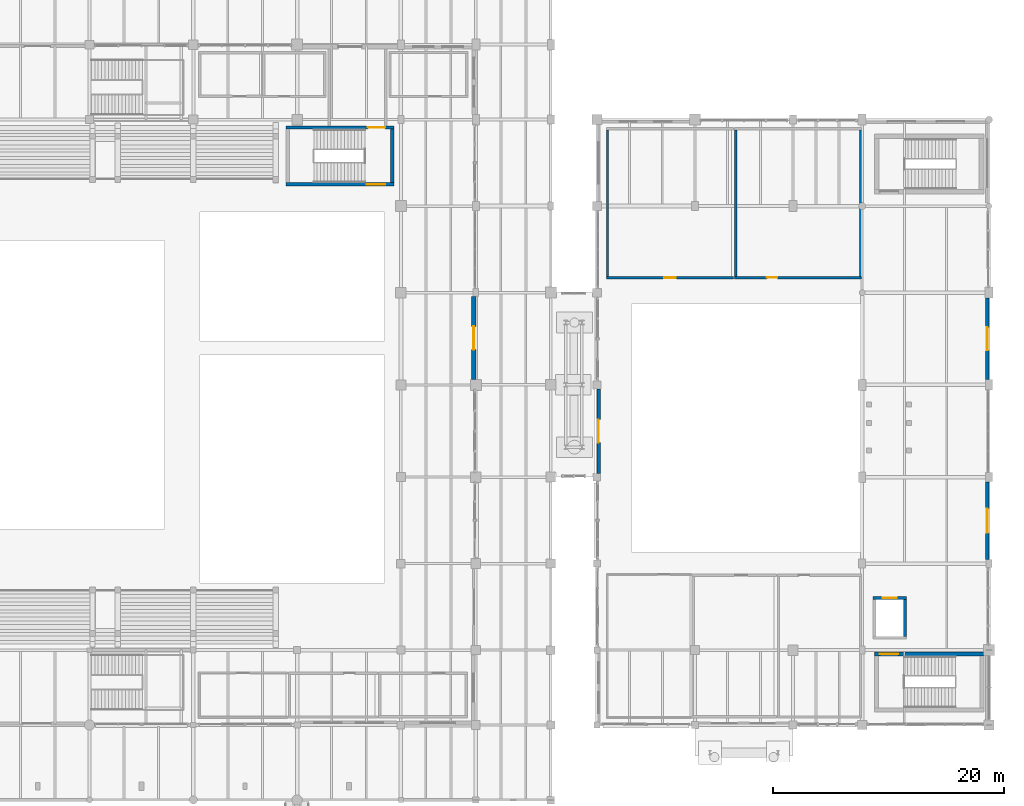
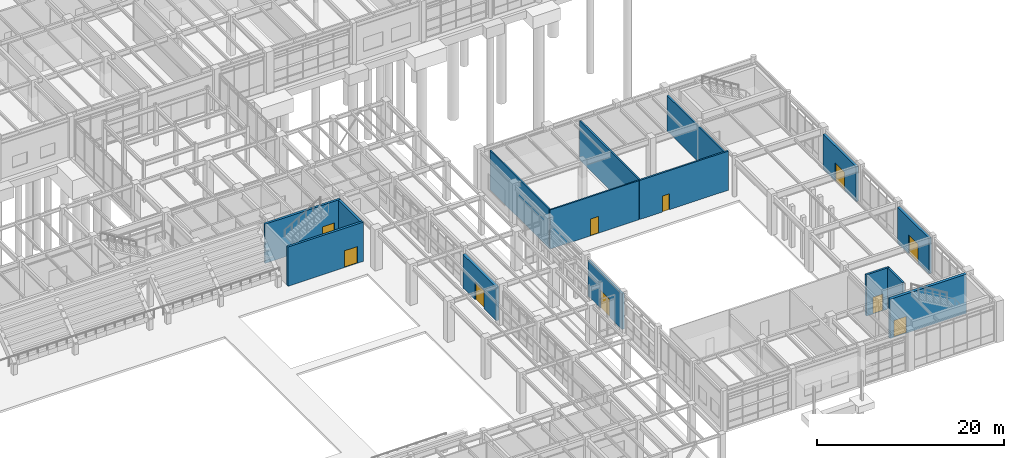
# One storey, part 180 of 203: 15 walls, 10 doors, 10 openings.
"""IFC4 building model written with IfcOpenShell, lengths in metres."""

from ifc_helpers import new_model, si_unit, direction, frame, frame_2d, origin, place, context, subcontext, project, spatial, rectangle, extrude, material, layer, layer_set, type_object, element, fill, save


model = new_model("IFC4")

# Units and contexts
model_context = context("Model", 3, precision=1e-05, world=origin(), true_north=direction((0.0, 1.0)))
body_context = subcontext(model_context, "Body", "Model", "MODEL_VIEW")
ifc_project = project(units=[si_unit("LENGTHUNIT", "METRE"), si_unit("AREAUNIT", "SQUARE_METRE"), si_unit("VOLUMEUNIT", "CUBIC_METRE"), si_unit("PLANEANGLEUNIT", "RADIAN"), si_unit("MASSUNIT", "GRAM", prefix="KILO"), si_unit("THERMODYNAMICTEMPERATUREUNIT", "KELVIN"), si_unit("POWERUNIT", "WATT")], contexts=[model_context])

# Site, building, storey
site_placement = place(None, origin())
site = spatial("IfcSite", under=ifc_project, at=site_placement, CompositionType="ELEMENT")
building_placement = place(site_placement, origin())
building = spatial("IfcBuilding", under=site, at=building_placement, Name="Tepalcoro Natatorium and Aquatics Centre", CompositionType="ELEMENT")
storey_placement = place(building_placement, origin())
storey = spatial("IfcBuildingStorey", under=building, at=storey_placement, Name="L00", CompositionType="ELEMENT", Elevation=0.0)

# Wall, opening, door
ifc_material_1 = material(Name="Volcanic Recinto Basalt Ashlar Masonry", Category="masonry")
ifc_layer_1 = layer(ifc_material_1, 0.360107421875)
ifc_layer_set_1 = layer_set([ifc_layer_1], Name="Volcanic Recinto Basalt Ashlar Masonry")
wall_type_1 = type_object("IfcWallType", Name="WL_EXT_STONE_350", PredefinedType="SOLIDWALL", material=ifc_layer_set_1)
wall_1_placement = place(storey_placement, frame((131.320068359375, 36.47900390625, 0.0), z_axis=(0.0, 0.0, 1.0), x_axis=(0.0, 1.0, 0.0)))
wall_1 = element("IfcWall", 1, at=wall_1_placement, inside=storey, type_object=wall_type_1, Name="V1 L00 E Volcanic Basalt Envelope Wall", PredefinedType="SOLIDWALL", context=body_context, shape_type="SweptSolid", body=[
    extrude(rectangle(XDim=7.1669921875, YDim=0.360107421875, at=frame_2d((3.58349609375, 0.0))), origin(), (0.0, 0.0, 1.0), 4.382080078125),
])
opening_1_placement = place(wall_1_placement, frame((2.58349609375, 0.0, 0.0)))
opening_1 = element("IfcOpeningElement", 2, at=opening_1_placement, cuts=wall_1, Name="Opening ED5008", PredefinedType="OPENING", context=body_context, shape_type="SweptSolid", body=[
    extrude(rectangle(XDim=2.0, YDim=2.39990234375, at=frame_2d((1.0, 1.199951171875))), frame((0.0, 0.19189453125, 0.0), z_axis=(0.0, -1.0, 0.0), x_axis=(1.0, 0.0, 0.0)), (0.0, 0.0, 1.0), 0.384033203125),
])
ifc_material_2 = material(Name="Bronze-Anodised Extruded Aluminium Alloy EN AW-6063 T6", Category="aluminium")
door_type_1 = type_object("IfcDoorType", Name="DR_200x240_EXT", OperationType="NOTDEFINED", PredefinedType="DOOR", material=ifc_material_2)
door_1_placement = place(opening_1_placement, frame((2.0, 0.0, 0.0), z_axis=(0.0, 0.0, 1.0), x_axis=(-1.0, 0.0, 0.0)))
door_1 = element("IfcDoor", 3, at=door_1_placement, inside=storey, type_object=door_type_1, Name="East Seismic Link Portal", OperationType="DOUBLE_DOOR_SINGLE_SWING", OverallHeight=2.39990234375, OverallWidth=2.0, PredefinedType="DOOR", context=body_context, shape_type="SweptSolid", body=[
    extrude(rectangle(XDim=2.0, YDim=2.39990234375, at=frame_2d((1.0, 1.199951171875))), frame((0.0, 0.02490234375, 0.0), z_axis=(0.0, -1.0, 0.0), x_axis=(1.0, 0.0, 0.0)), (0.0, 0.0, 1.0), 0.050048828125),
])
fill(opening_1, door_1)

ifc_material_3 = material(Name="Jalisco Cantera Rosa Volcanic Tuff Ashlar Masonry", Category="masonry")
ifc_layer_2 = layer(ifc_material_3, 0.304931640625)
ifc_layer_set_2 = layer_set([ifc_layer_2], Name="Jalisco Cantera Rosa Volcanic Tuff Ashlar Masonry")
wall_type_2 = type_object("IfcWallType", Name="WL_EXT_TERRACOTTA_300", PredefinedType="SOLIDWALL", material=ifc_layer_set_2)
wall_2_placement = place(storey_placement, frame((142.152587890625, 28.3291015625, 0.0), z_axis=(0.0, 0.0, 1.0), x_axis=(0.0, 1.0, 0.0)))
wall_2 = element("IfcWall", 4, at=wall_2_placement, inside=storey, type_object=wall_type_2, Name="V2 L00 W Volcanic Basalt Envelope Wall", PredefinedType="SOLIDWALL", context=body_context, shape_type="SweptSolid", body=[
    extrude(rectangle(XDim=7.31689453125, YDim=0.304931640625, at=frame_2d((3.658447265625, 0.0))), origin(), (0.0, 0.0, 1.0), 4.64990234375),
])
opening_2_placement = place(wall_2_placement, frame((2.658447265625, 0.0, 0.0)))
opening_2 = element("IfcOpeningElement", 5, at=opening_2_placement, cuts=wall_2, Name="Opening ED5021", PredefinedType="OPENING", context=body_context, shape_type="SweptSolid", body=[
    extrude(rectangle(XDim=2.0, YDim=2.39990234375, at=frame_2d((1.0, 1.199951171875))), frame((0.0, 0.16455078125, 0.0), z_axis=(0.0, -1.0, 0.0), x_axis=(1.0, 0.0, 0.0)), (0.0, 0.0, 1.0), 0.328857421875),
])
door_2_placement = place(opening_2_placement, origin())
door_2 = element("IfcDoor", 6, at=door_2_placement, inside=storey, type_object=door_type_1, Name="V2 L00 West Link Portal", OperationType="DOUBLE_DOOR_SINGLE_SWING", OverallHeight=2.39990234375, OverallWidth=2.0, PredefinedType="DOOR", context=body_context, shape_type="SweptSolid", body=[
    extrude(rectangle(XDim=2.0, YDim=2.39990234375, at=frame_2d((1.0, 1.199951171875))), frame((0.0, 0.02490234375, 0.0), z_axis=(0.0, -1.0, 0.0), x_axis=(1.0, 0.0, 0.0)), (0.0, 0.0, 1.0), 0.050048828125),
])
fill(opening_2, door_2)

wall_3_placement = place(storey_placement, frame((175.847412109375, 20.85400390625, 0.0), z_axis=(0.0, 0.0, 1.0), x_axis=(0.0, 1.0, 0.0)))
wall_3 = element("IfcWall", 7, at=wall_3_placement, inside=storey, type_object=wall_type_2, Name="V2 L00 E Volcanic Basalt Envelope Wall", PredefinedType="SOLIDWALL", context=body_context, shape_type="SweptSolid", body=[
    extrude(rectangle(XDim=6.741943359375, YDim=0.304931640625, at=frame_2d((3.37109375, 0.0))), origin(), (0.0, 0.0, 1.0), 4.697021484375),
])
opening_3_placement = place(wall_3_placement, frame((2.321044921875, 0.0, 0.0)))
opening_3 = element("IfcOpeningElement", 8, at=opening_3_placement, cuts=wall_3, Name="Opening ED5022", PredefinedType="OPENING", context=body_context, shape_type="SweptSolid", body=[
    extrude(rectangle(XDim=2.10009765625, YDim=2.5, at=frame_2d((1.050048828125, 1.25))), frame((0.0, 0.16455078125, 0.0), z_axis=(0.0, -1.0, 0.0), x_axis=(1.0, 0.0, 0.0)), (0.0, 0.0, 1.0), 0.328857421875),
])
door_type_2 = type_object("IfcDoorType", Name="DR_210x250_EXT", OperationType="NOTDEFINED", PredefinedType="DOOR", material=ifc_material_2)
door_3_placement = place(opening_3_placement, frame((2.10009765625, 0.0, 0.0), z_axis=(0.0, 0.0, 1.0), x_axis=(-1.0, 0.0, 0.0)))
door_3 = element("IfcDoor", 9, at=door_3_placement, inside=storey, type_object=door_type_2, Name="Diving Pavilion East Civic Entrance", OperationType="DOUBLE_DOOR_SINGLE_SWING", OverallHeight=2.5, OverallWidth=2.10009765625, PredefinedType="DOOR", context=body_context, shape_type="SweptSolid", body=[
    extrude(rectangle(XDim=2.10009765625, YDim=2.5, at=frame_2d((1.050048828125, 1.25))), frame((0.0, 0.02490234375, 0.0), z_axis=(0.0, -1.0, 0.0), x_axis=(1.0, 0.0, 0.0)), (0.0, 0.0, 1.0), 0.050048828125),
])
fill(opening_3, door_3)

wall_4_placement = place(storey_placement, frame((175.847412109375, 36.4541015625, 0.0), z_axis=(0.0, 0.0, 1.0), x_axis=(0.0, 1.0, 0.0)))
wall_4 = element("IfcWall", 10, at=wall_4_placement, inside=storey, type_object=wall_type_2, Name="V2 L00 E Volcanic Basalt Envelope Wall", PredefinedType="SOLIDWALL", context=body_context, shape_type="SweptSolid", body=[
    extrude(rectangle(XDim=7.06689453125, YDim=0.304931640625, at=frame_2d((3.533447265625, 0.0))), origin(), (0.0, 0.0, 1.0), 4.573974609375),
])
opening_4_placement = place(wall_4_placement, frame((2.533447265625, 0.0, 0.0)))
opening_4 = element("IfcOpeningElement", 11, at=opening_4_placement, cuts=wall_4, Name="Opening ED5023", PredefinedType="OPENING", context=body_context, shape_type="SweptSolid", body=[
    extrude(rectangle(XDim=2.0, YDim=2.39990234375, at=frame_2d((1.0, 1.199951171875))), frame((0.0, 0.16455078125, 0.0), z_axis=(0.0, -1.0, 0.0), x_axis=(1.0, 0.0, 0.0)), (0.0, 0.0, 1.0), 0.328857421875),
])
door_4_placement = place(opening_4_placement, frame((2.0, 0.0, 0.0), z_axis=(0.0, 0.0, 1.0), x_axis=(-1.0, 0.0, 0.0)))
door_4 = element("IfcDoor", 12, at=door_4_placement, inside=storey, type_object=door_type_1, Name="Diving Pavilion East Exit Door", OperationType="DOUBLE_DOOR_SINGLE_SWING", OverallHeight=2.39990234375, OverallWidth=2.0, PredefinedType="DOOR", context=body_context, shape_type="SweptSolid", body=[
    extrude(rectangle(XDim=2.0, YDim=2.39990234375, at=frame_2d((1.0, 1.199951171875))), frame((0.0, 0.02490234375, 0.0), z_axis=(0.0, -1.0, 0.0), x_axis=(1.0, 0.0, 0.0)), (0.0, 0.0, 1.0), 0.050048828125),
])
fill(opening_4, door_4)

ifc_material_4 = material(Name="Moisture-Resistant Acoustic Gypsum Drywall on Cold-Formed Metal Studs")
ifc_layer_3 = layer(ifc_material_4, 0.179931640625)
ifc_layer_set_3 = layer_set([ifc_layer_3], Name="Moisture-Resistant Acoustic Gypsum Drywall on Cold-Formed Metal Studs")
wall_type_3 = type_object("IfcWallType", Name="WL_PART_180_AC", PredefinedType="PARTITIONING", material=ifc_layer_set_3)
wall_5_placement = place(storey_placement, frame((142.840087890625, 45.2900390625, 0.0), z_axis=(0.0, 0.0, 1.0), x_axis=(1.0, 0.0, 0.0)))
wall_5 = element("IfcWall", 13, at=wall_5_placement, inside=storey, type_object=wall_type_3, Name="Diving Judges & Scoring Control Room Partition S", PredefinedType="PARTITIONING", context=body_context, shape_type="SweptSolid", body=[
    extrude(rectangle(XDim=11.02001953125, YDim=0.179931640625, at=frame_2d((5.510009765625, 0.0))), origin(), (0.0, 0.0, 1.0), 5.125),
])
opening_5_placement = place(wall_5_placement, frame((5.010009765625, 0.0, 0.0)))
opening_5 = element("IfcOpeningElement", 14, at=opening_5_placement, cuts=wall_5, Name="Opening D0088", PredefinedType="OPENING", context=body_context, shape_type="SweptSolid", body=[
    extrude(rectangle(XDim=1.0, YDim=2.199951171875, at=frame_2d((0.5, 1.10009765625))), frame((0.0, 0.10205078125, 0.0), z_axis=(0.0, -1.0, 0.0), x_axis=(1.0, 0.0, 0.0)), (0.0, 0.0, 1.0), 0.203857421875),
])
ifc_material_5 = material(Name="Galvanised Steel Insulated Acoustic Fire Door Assembly", Category="steel")
door_type_3 = type_object("IfcDoorType", Name="DR_100x220_FD60", OperationType="NOTDEFINED", PredefinedType="DOOR", material=ifc_material_5)
door_5_placement = place(opening_5_placement, origin())
door_5 = element("IfcDoor", 15, at=door_5_placement, inside=storey, type_object=door_type_3, Name="Diving Judges & Scoring Control Room Door", OperationType="SINGLE_SWING_RIGHT", OverallHeight=2.199951171875, OverallWidth=1.0, PredefinedType="DOOR", context=body_context, shape_type="SweptSolid", body=[
    extrude(rectangle(XDim=1.0, YDim=2.199951171875, at=frame_2d((0.5, 1.10009765625))), frame((0.0, 0.02490234375, 0.0), z_axis=(0.0, -1.0, 0.0), x_axis=(1.0, 0.0, 0.0)), (0.0, 0.0, 1.0), 0.050048828125),
])
fill(opening_5, door_5)

# Wall
wall_6_placement = place(storey_placement, frame((142.929931640625, 45.3798828125, 0.0), z_axis=(0.0, 0.0, 1.0), x_axis=(0.0, 1.0, 0.0)))
element("IfcWall", 16, at=wall_6_placement, inside=storey, type_object=wall_type_3, Name="Diving Judges & Scoring Control Room Partition W", PredefinedType="PARTITIONING", context=body_context, shape_type="SweptSolid", body=[
    extrude(rectangle(XDim=12.740234375, YDim=0.179931640625, at=frame_2d((6.3701171875, 0.0))), origin(), (0.0, 0.0, 1.0), 5.125),
])

# Wall, opening, door
ifc_material_6 = material(Name="Ceramic-Tiled Moisture-Resistant Masonry Blockwork", Category="masonry")
ifc_layer_4 = layer(ifc_material_6, 0.199951171875)
ifc_layer_set_4 = layer_set([ifc_layer_4], Name="Ceramic-Tiled Moisture-Resistant Masonry Blockwork")
wall_type_4 = type_object("IfcWallType", Name="WL_PLUMB_200", PredefinedType="PLUMBINGWALL", material=ifc_layer_set_4)
wall_7_placement = place(storey_placement, frame((153.93994140625, 45.300048828125, 0.0), z_axis=(0.0, 0.0, 1.0), x_axis=(1.0, 0.0, 0.0)))
wall_7 = element("IfcWall", 17, at=wall_7_placement, inside=storey, type_object=wall_type_4, Name="Diving Pavilion Male & Female Toilets Partition S", PredefinedType="PLUMBINGWALL", context=body_context, shape_type="SweptSolid", body=[
    extrude(rectangle(XDim=11.02001953125, YDim=0.199951171875, at=frame_2d((5.510009765625, 0.0))), origin(), (0.0, 0.0, 1.0), 5.125),
])
opening_6_placement = place(wall_7_placement, frame((2.804931640625, 0.0, 0.0)))
opening_6 = element("IfcOpeningElement", 18, at=opening_6_placement, cuts=wall_7, Name="Opening D0089", PredefinedType="OPENING", context=body_context, shape_type="SweptSolid", body=[
    extrude(rectangle(XDim=0.89990234375, YDim=2.10009765625, at=frame_2d((0.449951171875, 1.050048828125))), frame((0.0, 0.11181640625, 0.0), z_axis=(0.0, -1.0, 0.0), x_axis=(1.0, 0.0, 0.0)), (0.0, 0.0, 1.0), 0.223876953125),
])
ifc_material_7 = material(Name="Solid-Core Moisture-Sealed Oak Timber Leaf in Aluminium Frame", Category="wood")
door_type_4 = type_object("IfcDoorType", Name="DR_095x215_WC", OperationType="NOTDEFINED", PredefinedType="DOOR", material=ifc_material_7)
door_6_placement = place(opening_6_placement, origin())
door_6 = element("IfcDoor", 19, at=door_6_placement, inside=storey, type_object=door_type_4, Name="Diving Pavilion Male & Female Toilets Door", OperationType="SINGLE_SWING_LEFT", OverallHeight=2.10009765625, OverallWidth=0.89990234375, PredefinedType="DOOR", context=body_context, shape_type="SweptSolid", body=[
    extrude(rectangle(XDim=0.89990234375, YDim=2.10009765625, at=frame_2d((0.449951171875, 1.050048828125))), frame((0.0, 0.02490234375, 0.0), z_axis=(0.0, -1.0, 0.0), x_axis=(1.0, 0.0, 0.0)), (0.0, 0.0, 1.0), 0.050048828125),
])
fill(opening_6, door_6)

# Walls
wall_8_placement = place(storey_placement, frame((164.860107421875, 45.39990234375, 0.0), z_axis=(0.0, 0.0, 1.0), x_axis=(0.0, 1.0, 0.0)))
element("IfcWall", 20, at=wall_8_placement, inside=storey, type_object=wall_type_4, Name="Diving Pavilion Male & Female Toilets Partition E", PredefinedType="PLUMBINGWALL", context=body_context, shape_type="SweptSolid", body=[
    extrude(rectangle(XDim=12.7001953125, YDim=0.199951171875, at=frame_2d((6.35009765625, 0.0))), origin(), (0.0, 0.0, 1.0), 4.64306640625),
])
wall_9_placement = place(storey_placement, frame((154.0400390625, 45.39990234375, 0.0), z_axis=(0.0, 0.0, 1.0), x_axis=(0.0, 1.0, 0.0)))
element("IfcWall", 21, at=wall_9_placement, inside=storey, type_object=wall_type_4, Name="Diving Pavilion Male & Female Toilets Partition W", PredefinedType="PLUMBINGWALL", context=body_context, shape_type="SweptSolid", body=[
    extrude(rectangle(XDim=12.7001953125, YDim=0.199951171875, at=frame_2d((6.35009765625, 0.0))), origin(), (0.0, 0.0, 1.0), 5.125),
])

# Wall, opening, door
ifc_material_8 = material(Name="Concrete C40/50 (fc 40 MPa)", Category="concrete")
ifc_layer_5 = layer(ifc_material_8, 0.239990234375)
ifc_layer_set_5 = layer_set([ifc_layer_5], Name="Concrete C40/50 (fc 40 MPa)")
wall_type_5 = type_object("IfcWallType", Name="WL_SHAFT_240", PredefinedType="SOLIDWALL", material=ifc_layer_set_5)
wall_10_placement = place(storey_placement, frame((165.9599609375, 17.52001953125, 0.0), z_axis=(0.0, 0.0, 1.0), x_axis=(1.0, 0.0, 0.0)))
wall_10 = element("IfcWall", 22, at=wall_10_placement, inside=storey, type_object=wall_type_5, Name="LF02 Lift Shaft Wall N L00", PredefinedType="SOLIDWALL", context=body_context, shape_type="SweptSolid", body=[
    extrude(rectangle(XDim=2.880126953125, YDim=0.239990234375, at=frame_2d((1.43994140625, 0.0))), origin(), (0.0, 0.0, 1.0), 5.39990234375),
])
opening_7_placement = place(wall_10_placement, frame((0.840087890625, 0.0, 0.0)))
opening_7 = element("IfcOpeningElement", 23, at=opening_7_placement, cuts=wall_10, Name="Opening LD-LF02-L00", PredefinedType="OPENING", context=body_context, shape_type="SweptSolid", body=[
    extrude(rectangle(XDim=1.199951171875, YDim=2.199951171875, at=frame_2d((0.60009765625, 1.10009765625))), frame((0.0, 0.1318359375, 0.0), z_axis=(0.0, -1.0, 0.0), x_axis=(1.0, 0.0, 0.0)), (0.0, 0.0, 1.0), 0.263916015625),
])
ifc_material_9 = material(Name="Marine-Grade Brushed Stainless Steel AISI 316L", Category="steel")
door_type_5 = type_object("IfcDoorType", Name="DR_120x220_LIFT", OperationType="NOTDEFINED", PredefinedType="USERDEFINED", material=ifc_material_9)
door_7_placement = place(opening_7_placement, origin())
door_7 = element("IfcDoor", 24, at=door_7_placement, inside=storey, type_object=door_type_5, Name="LF02 Lift Landing Sliding Door (L00)", ObjectType="SLIDING LANDING DOOR", OperationType="SLIDING_TO_RIGHT", OverallHeight=2.199951171875, OverallWidth=1.199951171875, PredefinedType="USERDEFINED", context=body_context, shape_type="SweptSolid", body=[
    extrude(rectangle(XDim=1.199951171875, YDim=2.199951171875, at=frame_2d((0.60009765625, 1.10009765625))), frame((0.0, 0.02490234375, 0.0), z_axis=(0.0, -1.0, 0.0), x_axis=(1.0, 0.0, 0.0)), (0.0, 0.0, 1.0), 0.050048828125),
])
fill(opening_7, door_7)

# Wall
wall_11_placement = place(storey_placement, frame((168.719970703125, 14.199951171875, 0.0), z_axis=(0.0, 0.0, 1.0), x_axis=(0.0, 1.0, 0.0)))
element("IfcWall", 25, at=wall_11_placement, inside=storey, type_object=wall_type_5, Name="LF02 Lift Shaft Wall E L00", PredefinedType="SOLIDWALL", context=body_context, shape_type="SweptSolid", body=[
    extrude(rectangle(XDim=3.199951171875, YDim=0.239990234375, at=frame_2d((1.60009765625, 0.0))), origin(), (0.0, 0.0, 1.0), 5.39990234375),
])

# Wall, opening, door
ifc_layer_6 = layer(ifc_material_8, 0.280029296875)
ifc_layer_set_6 = layer_set([ifc_layer_6], Name="Concrete C40/50 (fc 40 MPa)")
wall_type_6 = type_object("IfcWallType", Name="WL_SHEAR_280", PredefinedType="SHEAR", material=ifc_layer_set_6)
wall_12_placement = place(storey_placement, frame((115.050048828125, 53.389892578125, 0.0), z_axis=(0.0, 0.0, 1.0), x_axis=(1.0, 0.0, 0.0)))
wall_12 = element("IfcWall", 26, at=wall_12_placement, inside=storey, type_object=wall_type_6, Name="ST02 Core Shear Wall S L00", PredefinedType="SHEAR", context=body_context, shape_type="SweptSolid", body=[
    extrude(rectangle(XDim=9.349853515625, YDim=0.280029296875, at=frame_2d((4.6748046875, 0.0))), origin(), (0.0, 0.0, 1.0), 5.139892578125),
])
opening_8_placement = place(wall_12_placement, frame((6.989990234375, 0.0, 0.0)))
opening_8 = element("IfcOpeningElement", 27, at=opening_8_placement, cuts=wall_12, Name="Opening D0007", PredefinedType="OPENING", context=body_context, shape_type="SweptSolid", body=[
    extrude(rectangle(XDim=1.60009765625, YDim=2.199951171875, at=frame_2d((0.800048828125, 1.10009765625))), frame((0.0, 0.15185546875, 0.0), z_axis=(0.0, -1.0, 0.0), x_axis=(1.0, 0.0, 0.0)), (0.0, 0.0, 1.0), 0.303955078125),
])
door_type_6 = type_object("IfcDoorType", Name="DR_160x220_FD90", OperationType="NOTDEFINED", PredefinedType="DOOR", material=ifc_material_5)
door_8_placement = place(opening_8_placement, frame((1.60009765625, 0.0, 0.0), z_axis=(0.0, 0.0, 1.0), x_axis=(-1.0, 0.0, 0.0)))
door_8 = element("IfcDoor", 28, at=door_8_placement, inside=storey, type_object=door_type_6, Name="ST02 Fire Stair Door (L00)", OperationType="DOUBLE_DOOR_SINGLE_SWING", OverallHeight=2.199951171875, OverallWidth=1.60009765625, PredefinedType="DOOR", context=body_context, shape_type="SweptSolid", body=[
    extrude(rectangle(XDim=1.60009765625, YDim=2.199951171875, at=frame_2d((0.800048828125, 1.10009765625))), frame((0.0, 0.02490234375, 0.0), z_axis=(0.0, -1.0, 0.0), x_axis=(1.0, 0.0, 0.0)), (0.0, 0.0, 1.0), 0.050048828125),
])
fill(opening_8, door_8)

wall_13_placement = place(storey_placement, frame((115.050048828125, 58.31005859375, 0.0), z_axis=(0.0, 0.0, 1.0), x_axis=(1.0, 0.0, 0.0)))
wall_13 = element("IfcWall", 29, at=wall_13_placement, inside=storey, type_object=wall_type_6, Name="ST02 Core Shear Wall N L00", PredefinedType="SHEAR", context=body_context, shape_type="SweptSolid", body=[
    extrude(rectangle(XDim=9.349853515625, YDim=0.280029296875, at=frame_2d((4.6748046875, 0.0))), origin(), (0.0, 0.0, 1.0), 5.139892578125),
])
opening_9_placement = place(wall_13_placement, frame((7.090087890625, 0.0, 0.0)))
opening_9 = element("IfcOpeningElement", 30, at=opening_9_placement, cuts=wall_13, Name="Opening D0008", PredefinedType="OPENING", context=body_context, shape_type="SweptSolid", body=[
    extrude(rectangle(XDim=1.5, YDim=2.300048828125, at=frame_2d((0.75, 1.14990234375))), frame((0.0, 0.15185546875, 0.0), z_axis=(0.0, -1.0, 0.0), x_axis=(1.0, 0.0, 0.0)), (0.0, 0.0, 1.0), 0.303955078125),
])
door_type_7 = type_object("IfcDoorType", Name="DR_150x230_FD60", OperationType="NOTDEFINED", PredefinedType="DOOR", material=ifc_material_5)
door_9_placement = place(opening_9_placement, origin())
door_9 = element("IfcDoor", 31, at=door_9_placement, inside=storey, type_object=door_type_7, Name="ST02 Protected Exit Discharge Door (L00)", OperationType="DOUBLE_DOOR_SINGLE_SWING", OverallHeight=2.300048828125, OverallWidth=1.5, PredefinedType="DOOR", context=body_context, shape_type="SweptSolid", body=[
    extrude(rectangle(XDim=1.5, YDim=2.300048828125, at=frame_2d((0.75, 1.14990234375))), frame((0.0, 0.02490234375, 0.0), z_axis=(0.0, -1.0, 0.0), x_axis=(1.0, 0.0, 0.0)), (0.0, 0.0, 1.0), 0.050048828125),
])
fill(opening_9, door_9)

# Wall
wall_14_placement = place(storey_placement, frame((124.260009765625, 53.530029296875, 0.0), z_axis=(0.0, 0.0, 1.0), x_axis=(0.0, 1.0, 0.0)))
element("IfcWall", 32, at=wall_14_placement, inside=storey, type_object=wall_type_6, Name="ST02 Core Shear Wall E L00", PredefinedType="SHEAR", context=body_context, shape_type="SweptSolid", body=[
    extrude(rectangle(XDim=4.639892578125, YDim=0.280029296875, at=frame_2d((2.31982421875, 0.0))), origin(), (0.0, 0.0, 1.0), 5.139892578125),
])

# Wall, opening, door
ifc_layer_7 = layer(ifc_material_8, 0.35009765625)
ifc_layer_set_7 = layer_set([ifc_layer_7], Name="Concrete C40/50 (fc 40 MPa)")
wall_type_7 = type_object("IfcWallType", Name="WL_SHEAR_350", PredefinedType="SHEAR", material=ifc_layer_set_7)
wall_15_placement = place(storey_placement, frame((166.050048828125, 12.675048828125, 0.0), z_axis=(0.0, 0.0, 1.0), x_axis=(1.0, 0.0, 0.0)))
wall_15 = element("IfcWall", 33, at=wall_15_placement, inside=storey, type_object=wall_type_7, Name="ST03 Core Shear Wall N L00", PredefinedType="SHEAR", context=body_context, shape_type="SweptSolid", body=[
    extrude(rectangle(XDim=9.5, YDim=0.35009765625, at=frame_2d((4.75, 0.0))), origin(), (0.0, 0.0, 1.0), 5.139892578125),
])
opening_10_placement = place(wall_15_placement, frame((0.47998046875, 0.0, 0.0)))
opening_10 = element("IfcOpeningElement", 34, at=opening_10_placement, cuts=wall_15, Name="Opening D0012", PredefinedType="OPENING", context=body_context, shape_type="SweptSolid", body=[
    extrude(rectangle(XDim=1.60009765625, YDim=2.199951171875, at=frame_2d((0.800048828125, 1.10009765625))), frame((0.0, 0.18701171875, 0.0), z_axis=(0.0, -1.0, 0.0), x_axis=(1.0, 0.0, 0.0)), (0.0, 0.0, 1.0), 0.3740234375),
])
door_10_placement = place(opening_10_placement, origin())
door_10 = element("IfcDoor", 35, at=door_10_placement, inside=storey, type_object=door_type_6, Name="ST03 Fire Stair Door (L00)", OperationType="DOUBLE_DOOR_SINGLE_SWING", OverallHeight=2.199951171875, OverallWidth=1.60009765625, PredefinedType="DOOR", context=body_context, shape_type="SweptSolid", body=[
    extrude(rectangle(XDim=1.60009765625, YDim=2.199951171875, at=frame_2d((0.800048828125, 1.10009765625))), frame((0.0, 0.02490234375, 0.0), z_axis=(0.0, -1.0, 0.0), x_axis=(1.0, 0.0, 0.0)), (0.0, 0.0, 1.0), 0.050048828125),
])
fill(opening_10, door_10)

save(model, "model.ifc")
